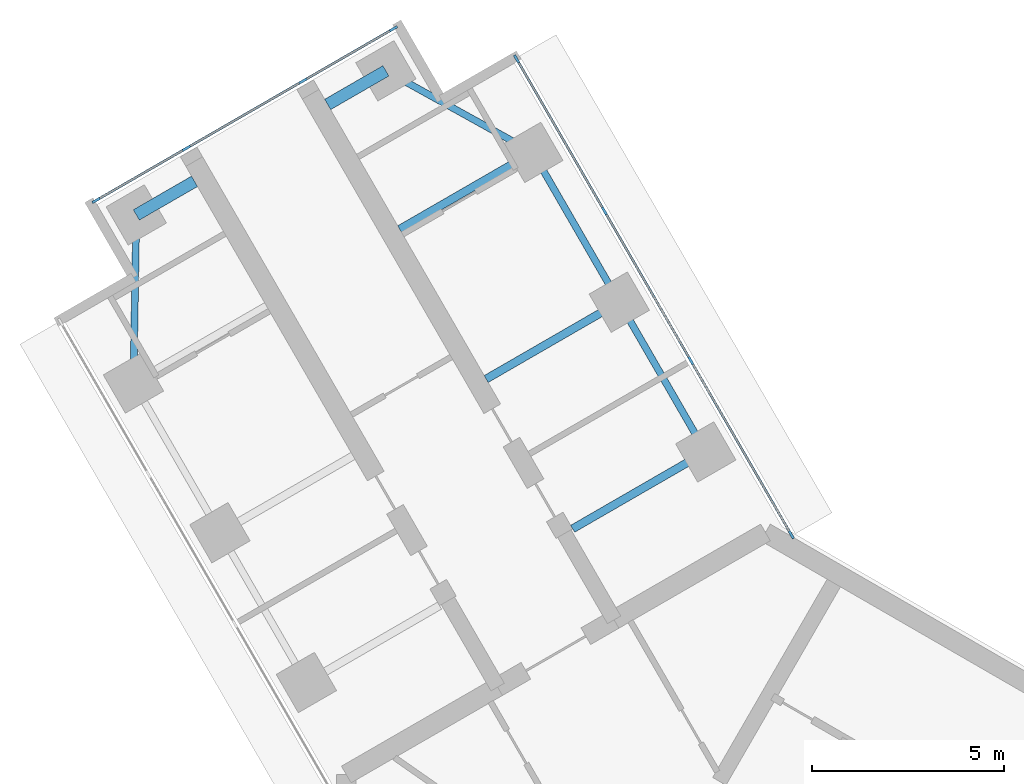
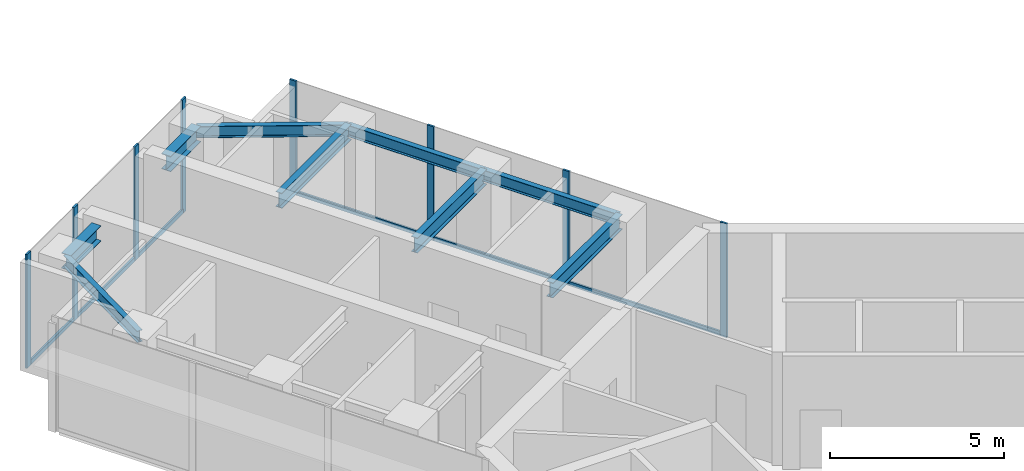
# One storey, part 6 of 17: 14 members, 9 beams, 2 elements without a shape of their own.
"""IFC4 building model written with IfcOpenShell, lengths in metres."""

from ifc_helpers import new_model, si_unit, direction, frame, origin, origin_2d, place, context, subcontext, project, spatial, rectangle, i_section, extrude, material, material_profile, profile_set, type_object, element, aggregate, save


model = new_model("IFC4")

# Units and contexts
model_context = context("Model", 3, precision=1e-05, world=origin(), true_north=direction((0.0, 1.0)))
body_context = subcontext(model_context, "Body", "Model", "MODEL_VIEW")
ifc_project = project(units=[si_unit("LENGTHUNIT", "METRE"), si_unit("AREAUNIT", "SQUARE_METRE"), si_unit("VOLUMEUNIT", "CUBIC_METRE"), si_unit("PLANEANGLEUNIT", "RADIAN"), si_unit("MASSUNIT", "GRAM", prefix="KILO")], contexts=[model_context])

# Site, building, storey
site_placement = place(None, origin())
site = spatial("IfcSite", under=ifc_project, at=site_placement, CompositionType="ELEMENT")
building_placement = place(site_placement, origin())
building = spatial("IfcBuilding", under=site, at=building_placement, Name="Upepo Twin Towers", CompositionType="ELEMENT")
storey_placement = place(building_placement, frame((0.0, 0.0, 210.5)))
storey = spatial("IfcBuildingStorey", under=building, at=storey_placement, Name="L51", CompositionType="ELEMENT", Elevation=210.5)

# Beams
ifc_material_1 = material(Name="Steel S355", Category="steel")
ifc_material_profile_1 = material_profile(ifc_material_1, i_section(OverallWidth=0.177978515625, OverallDepth=0.406494140625, WebThickness=0.0078125, FlangeThickness=0.0126953125, FilletRadius=0.01025390625, at=origin_2d()), Name="UB 406x178x60")
ifc_profile_set_1 = profile_set([ifc_material_profile_1], Name="Steel S355")
beam_type_1 = type_object("IfcBeamType", Name="Beam UB 406x178x60", PredefinedType="BEAM", material=ifc_profile_set_1)
beam_1_placement = place(storey_placement, frame((-16.446044921875, 16.485595703125, 3.5966796875), z_axis=(0.016803880528, 0.999858804832, 0.0), x_axis=(-0.999858804832, 0.016803880528, 0.0)))
element("IfcBeam", 1, at=beam_1_placement, inside=storey, type_object=beam_type_1, Name="T1 nose edge beam BL", PredefinedType="BEAM", context=body_context, shape_type="SweptSolid", body=[
    extrude(i_section(OverallWidth=0.177978515625, OverallDepth=0.406494140625, WebThickness=0.0078125, FlangeThickness=0.0126953125, FilletRadius=0.01025390625, at=origin_2d()), origin(), (0.0, 0.0, 1.0), 4.373291015625),
])
beam_2_placement = place(storey_placement, frame((-1.553955078125, 14.69140625, 3.5966796875), z_axis=(-0.500013631625, 0.866017533419, 0.0), x_axis=(-0.866017533419, -0.500013631625, 0.0)))
element("IfcBeam", 2, at=beam_2_placement, inside=storey, type_object=beam_type_1, Name="T1 edge beam BR 13.5-18.0", PredefinedType="BEAM", context=body_context, shape_type="SweptSolid", body=[
    extrude(i_section(OverallWidth=0.177978515625, OverallDepth=0.406494140625, WebThickness=0.0078125, FlangeThickness=0.0126953125, FilletRadius=0.01025390625, at=origin_2d()), origin(), (0.0, 0.0, 1.0), 4.499755859375),
])
beam_3_placement = place(storey_placement, frame((-3.803955078125, 18.58837890625, 3.5966796875), z_axis=(-0.499990139034, 0.866031096941, 0.0), x_axis=(-0.866031096941, -0.499990139034, 0.0)))
element("IfcBeam", 3, at=beam_3_placement, inside=storey, type_object=beam_type_1, Name="T1 edge beam BR 18.0-22.5", PredefinedType="BEAM", context=body_context, shape_type="SweptSolid", body=[
    extrude(i_section(OverallWidth=0.177978515625, OverallDepth=0.406494140625, WebThickness=0.0078125, FlangeThickness=0.0126953125, FilletRadius=0.01025390625, at=origin_2d()), origin(), (0.0, 0.0, 1.0), 4.5),
])
beam_4_placement = place(storey_placement, frame((-6.053955078125, 22.485595703125, 3.5966796875), z_axis=(-0.874312600038, 0.485363242752, 0.0), x_axis=(-0.485363242752, -0.874312600038, 0.0)))
element("IfcBeam", 4, at=beam_4_placement, inside=storey, type_object=beam_type_1, Name="T1 nose edge beam BR", PredefinedType="BEAM", context=body_context, shape_type="SweptSolid", body=[
    extrude(i_section(OverallWidth=0.177978515625, OverallDepth=0.406494140625, WebThickness=0.0078125, FlangeThickness=0.0126953125, FilletRadius=0.01025390625, at=origin_2d()), origin(), (0.0, 0.0, 1.0), 4.373046875),
])
ifc_material_2 = material(Name="Steel S355", Category="steel")
ifc_material_profile_2 = material_profile(ifc_material_2, i_section(OverallWidth=0.209228515625, OverallDepth=0.533203125, WebThickness=0.010009765625, FlangeThickness=0.015625, FilletRadius=0.0126953125, at=origin_2d()), Name="UB 533x210x92")
ifc_profile_set_2 = profile_set([ifc_material_profile_2], Name="Steel S355")
beam_type_2 = type_object("IfcBeamType", Name="Beam UB 533x210x92", PredefinedType="BEAM", material=ifc_profile_set_2)
for number, where, z_axis, x_axis, name in (
    (5, (-1.553955078125, 14.69140625, 3.533447265625), (-0.866026010844, -0.49999894854, 0.0), (0.49999894854, -0.866026010844, 0.0), "T1 girder BR at 13.5"),
    (6, (-3.803955078125, 18.58837890625, 3.533447265625), (-0.866026010844, -0.49999894854, 0.0), (0.49999894854, -0.866026010844, 0.0), "T1 girder BR at 18.0"),
    (7, (-6.053955078125, 22.485595703125, 3.533447265625), (-0.866026010844, -0.49999894854, 0.0), (0.49999894854, -0.866026010844, 0.0), "T1 girder BR at 22.5"),
):
    element("IfcBeam", number, at=place(storey_placement, frame(where, z_axis=z_axis, x_axis=x_axis)), inside=storey, type_object=beam_type_2, Name=name, PredefinedType="BEAM", context=body_context, shape_type="SweptSolid", body=[
        extrude(i_section(OverallWidth=0.209228515625, OverallDepth=0.533203125, WebThickness=0.010009765625, FlangeThickness=0.015625, FilletRadius=0.0126953125, at=origin_2d()), origin(), (0.0, 0.0, 1.0), 4.0),
    ])
ifc_material_3 = material(Name="Steel S355", Category="steel")
ifc_material_profile_3 = material_profile(ifc_material_3, i_section(OverallWidth=0.31201171875, OverallDepth=0.54345703125, WebThickness=0.0126953125, FlangeThickness=0.020263671875, FilletRadius=0.0126953125, at=origin_2d()), Name="UB 533x312x150")
ifc_profile_set_3 = profile_set([ifc_material_profile_3], Name="Steel S355")
beam_type_3 = type_object("IfcBeamType", Name="Beam UB 533x312x150", PredefinedType="BEAM", material=ifc_profile_set_3)
for number, where, z_axis, x_axis, name in (
    (8, (-16.37255859375, 20.858154296875, 3.5283203125), (0.866036909293, 0.499980071345, 0.0), (-0.499980071345, 0.866036909293, 0.0), "T1 nose beam BL"),
    (9, (-9.87744140625, 24.608154296875, 3.5283203125), (-0.866036909293, -0.499980071345, 0.0), (0.499980071345, -0.866036909293, 0.0), "T1 nose beam BR"),
):
    element("IfcBeam", number, at=place(storey_placement, frame(where, z_axis=z_axis, x_axis=x_axis)), inside=storey, type_object=beam_type_3, Name=name, PredefinedType="BEAM", context=body_context, shape_type="SweptSolid", body=[
        extrude(i_section(OverallWidth=0.31201171875, OverallDepth=0.54345703125, WebThickness=0.0126953125, FlangeThickness=0.020263671875, FilletRadius=0.0126953125, at=origin_2d()), origin(), (0.0, 0.0, 1.0), 1.75),
    ])

# Curtain wall, members
ifc_material_4 = material(Name="Aluminium and fritted glass", Category="aluminium")
curtain_wall_type = type_object("IfcCurtainWallType", Name="Tower curtain wall TW3, fritted glass", PredefinedType="NOTDEFINED", material=ifc_material_4)
curtain_wall_1_placement = place(storey_placement, origin())
curtain_wall_1 = element("IfcCurtainWall", 10, at=curtain_wall_1_placement, inside=storey, type_object=curtain_wall_type, Name="T1 L51 wing B flank R curtain wall", PredefinedType="NOTDEFINED")
ifc_material_5 = material(Name="Aluminium mullion", Category="aluminium")
ifc_material_profile_4 = material_profile(ifc_material_5, rectangle(XDim=0.06494140625, YDim=0.22509765625, at=origin_2d()), Name="MULLION 65x225")
ifc_profile_set_4 = profile_set([ifc_material_profile_4], Name="Aluminium mullion")
member_type_1 = type_object("IfcMemberType", Name="Mullion 65x225 TW3", PredefinedType="MULLION", material=ifc_profile_set_4)
member_1_placement = place(storey_placement, frame((-6.4765625, 24.91748046875, 0.0), z_axis=(0.0, 0.0, 1.0), x_axis=(0.866025388469, 0.500000026527, 0.0)))
member_1 = element("IfcMember", 11, at=member_1_placement, type_object=member_type_1, Name="T1 L51 wing B flank R curtain wall mullion 1", PredefinedType="MULLION", context=body_context, shape_type="SweptSolid", body=[
    extrude(rectangle(XDim=0.06494140625, YDim=0.22509765625, at=origin_2d()), origin(), (0.0, 0.0, 1.0), 4.0),
])
member_2_placement = place(storey_placement, frame((-4.192626953125, 20.9619140625, 0.0), z_axis=(0.0, 0.0, 1.0), x_axis=(0.866025388469, 0.500000026527, 0.0)))
member_2 = element("IfcMember", 12, at=member_2_placement, type_object=member_type_1, Name="T1 L51 wing B flank R curtain wall mullion 2", PredefinedType="MULLION", context=body_context, shape_type="SweptSolid", body=[
    extrude(rectangle(XDim=0.06494140625, YDim=0.22509765625, at=origin_2d()), origin(), (0.0, 0.0, 1.0), 4.0),
])
member_3_placement = place(storey_placement, frame((-1.942626953125, 17.06494140625, 0.0), z_axis=(0.0, 0.0, 1.0), x_axis=(0.866025388469, 0.500000026527, 0.0)))
member_3 = element("IfcMember", 13, at=member_3_placement, type_object=member_type_1, Name="T1 L51 wing B flank R curtain wall mullion 3", PredefinedType="MULLION", context=body_context, shape_type="SweptSolid", body=[
    extrude(rectangle(XDim=0.06494140625, YDim=0.22509765625, at=origin_2d()), origin(), (0.0, 0.0, 1.0), 4.0),
])
member_4_placement = place(storey_placement, frame((0.67236328125, 12.53515625, 0.0), z_axis=(0.0, 0.0, 1.0), x_axis=(0.866025388469, 0.500000026527, 0.0)))
member_4 = element("IfcMember", 14, at=member_4_placement, type_object=member_type_1, Name="T1 L51 wing B flank R curtain wall mullion 4", PredefinedType="MULLION", context=body_context, shape_type="SweptSolid", body=[
    extrude(rectangle(XDim=0.06494140625, YDim=0.22509765625, at=origin_2d()), origin(), (0.0, 0.0, 1.0), 4.0),
])

curtain_wall_2_placement = place(storey_placement, origin())
curtain_wall_2 = element("IfcCurtainWall", 15, at=curtain_wall_2_placement, inside=storey, type_object=curtain_wall_type, Name="T1 L51 wing B nose curtain wall", PredefinedType="NOTDEFINED")
member_5_placement = place(storey_placement, frame((-9.68115234375, 25.703125, 0.0), z_axis=(0.0, 0.0, 1.0), x_axis=(0.500000030502, -0.866025386174, 0.0)))
member_5 = element("IfcMember", 16, at=member_5_placement, type_object=member_type_1, Name="T1 L51 wing B nose curtain wall mullion 1", PredefinedType="MULLION", context=body_context, shape_type="SweptSolid", body=[
    extrude(rectangle(XDim=0.06494140625, YDim=0.22509765625, at=origin_2d()), origin(), (0.0, 0.0, 1.0), 4.0),
])
member_6_placement = place(storey_placement, frame((-12.034423828125, 24.34423828125, 0.0), z_axis=(0.0, 0.0, 1.0), x_axis=(0.500000030502, -0.866025386174, 0.0)))
member_6 = element("IfcMember", 17, at=member_6_placement, type_object=member_type_1, Name="T1 L51 wing B nose curtain wall mullion 2", PredefinedType="MULLION", context=body_context, shape_type="SweptSolid", body=[
    extrude(rectangle(XDim=0.06494140625, YDim=0.22509765625, at=origin_2d()), origin(), (0.0, 0.0, 1.0), 4.0),
])
member_7_placement = place(storey_placement, frame((-15.0654296875, 22.59423828125, 0.0), z_axis=(0.0, 0.0, 1.0), x_axis=(0.500000030502, -0.866025386174, 0.0)))
member_7 = element("IfcMember", 18, at=member_7_placement, type_object=member_type_1, Name="T1 L51 wing B nose curtain wall mullion 3", PredefinedType="MULLION", context=body_context, shape_type="SweptSolid", body=[
    extrude(rectangle(XDim=0.06494140625, YDim=0.22509765625, at=origin_2d()), origin(), (0.0, 0.0, 1.0), 4.0),
])
member_8_placement = place(storey_placement, frame((-17.4189453125, 21.235595703125, 0.0), z_axis=(0.0, 0.0, 1.0), x_axis=(0.500000030502, -0.866025386174, 0.0)))
member_8 = element("IfcMember", 19, at=member_8_placement, type_object=member_type_1, Name="T1 L51 wing B nose curtain wall mullion 4", PredefinedType="MULLION", context=body_context, shape_type="SweptSolid", body=[
    extrude(rectangle(XDim=0.06494140625, YDim=0.22509765625, at=origin_2d()), origin(), (0.0, 0.0, 1.0), 4.0),
])

# Member
ifc_material_6 = material(Name="Aluminium transom", Category="aluminium")
ifc_material_profile_5 = material_profile(ifc_material_6, rectangle(XDim=0.06494140625, YDim=0.14990234375, at=origin_2d()), Name="TRANSOM 65x150")
ifc_profile_set_5 = profile_set([ifc_material_profile_5], Name="Aluminium transom")
member_type_2 = type_object("IfcMemberType", Name="Transom 65x150 TW3", PredefinedType="USERDEFINED", material=ifc_profile_set_5)
member_9_placement = place(storey_placement, frame((-6.460205078125, 24.889404296875, 0.074951171875), z_axis=(0.500005646842, -0.866022143554, 0.0), x_axis=(0.866022143554, 0.500005646842, 0.0)))
member_9 = element("IfcMember", 20, at=member_9_placement, type_object=member_type_2, Name="T1 L51 wing B flank R curtain wall transom 1", ObjectType="TRANSOM", PredefinedType="USERDEFINED", context=body_context, shape_type="SweptSolid", body=[
    extrude(rectangle(XDim=0.06494140625, YDim=0.14990234375, at=origin_2d()), origin(), (0.0, 0.0, 1.0), 4.50244140625),
])

member_10_placement = place(storey_placement, frame((-4.176513671875, 20.933837890625, 0.074951171875), z_axis=(0.500005184116, -0.866022410713, 0.0), x_axis=(0.866022410713, 0.500005184116, 0.0)))
member_10 = element("IfcMember", 21, at=member_10_placement, type_object=member_type_2, Name="T1 L51 wing B flank R curtain wall transom 2", ObjectType="TRANSOM", PredefinedType="USERDEFINED", context=body_context, shape_type="SweptSolid", body=[
    extrude(rectangle(XDim=0.06494140625, YDim=0.14990234375, at=origin_2d()), origin(), (0.0, 0.0, 1.0), 4.43505859375),
])

member_11_placement = place(storey_placement, frame((-1.926513671875, 17.036865234375, 0.074951171875), z_axis=(0.500007480159, -0.86602108507, 0.0), x_axis=(0.86602108507, 0.500007480159, 0.0)))
member_11 = element("IfcMember", 22, at=member_11_placement, type_object=member_type_2, Name="T1 L51 wing B flank R curtain wall transom 3", ObjectType="TRANSOM", PredefinedType="USERDEFINED", context=body_context, shape_type="SweptSolid", body=[
    extrude(rectangle(XDim=0.06494140625, YDim=0.14990234375, at=origin_2d()), origin(), (0.0, 0.0, 1.0), 5.16552734375),
])

aggregate(curtain_wall_1, [member_1, member_2, member_3, member_4, member_9, member_10, member_11])

member_12_placement = place(storey_placement, frame((-9.709228515625, 25.686767578125, 0.074951171875), z_axis=(-0.866036909293, -0.499980071345, 0.0), x_axis=(0.499980071345, -0.866036909293, 0.0)))
member_12 = element("IfcMember", 23, at=member_12_placement, type_object=member_type_2, Name="T1 L51 wing B nose curtain wall transom 1", ObjectType="TRANSOM", PredefinedType="USERDEFINED", context=body_context, shape_type="SweptSolid", body=[
    extrude(rectangle(XDim=0.06494140625, YDim=0.14990234375, at=origin_2d()), origin(), (0.0, 0.0, 1.0), 2.65234375),
])

member_13_placement = place(storey_placement, frame((-12.0625, 24.328125, 0.074951171875), z_axis=(-0.866025804792, -0.499999305434, 0.0), x_axis=(0.499999305434, -0.866025804792, 0.0)))
member_13 = element("IfcMember", 24, at=member_13_placement, type_object=member_type_2, Name="T1 L51 wing B nose curtain wall transom 2", ObjectType="TRANSOM", PredefinedType="USERDEFINED", context=body_context, shape_type="SweptSolid", body=[
    extrude(rectangle(XDim=0.06494140625, YDim=0.14990234375, at=origin_2d()), origin(), (0.0, 0.0, 1.0), 3.43505859375),
])

member_14_placement = place(storey_placement, frame((-15.09375, 22.578125, 0.074951171875), z_axis=(-0.865997053448, -0.500049101008, 0.0), x_axis=(0.500049101008, -0.865997053448, 0.0)))
member_14 = element("IfcMember", 25, at=member_14_placement, type_object=member_type_2, Name="T1 L51 wing B nose curtain wall transom 3", ObjectType="TRANSOM", PredefinedType="USERDEFINED", context=body_context, shape_type="SweptSolid", body=[
    extrude(rectangle(XDim=0.06494140625, YDim=0.14990234375, at=origin_2d()), origin(), (0.0, 0.0, 1.0), 2.652587890625),
])

aggregate(curtain_wall_2, [member_5, member_6, member_7, member_8, member_12, member_13, member_14])

save(model, "model.ifc")
